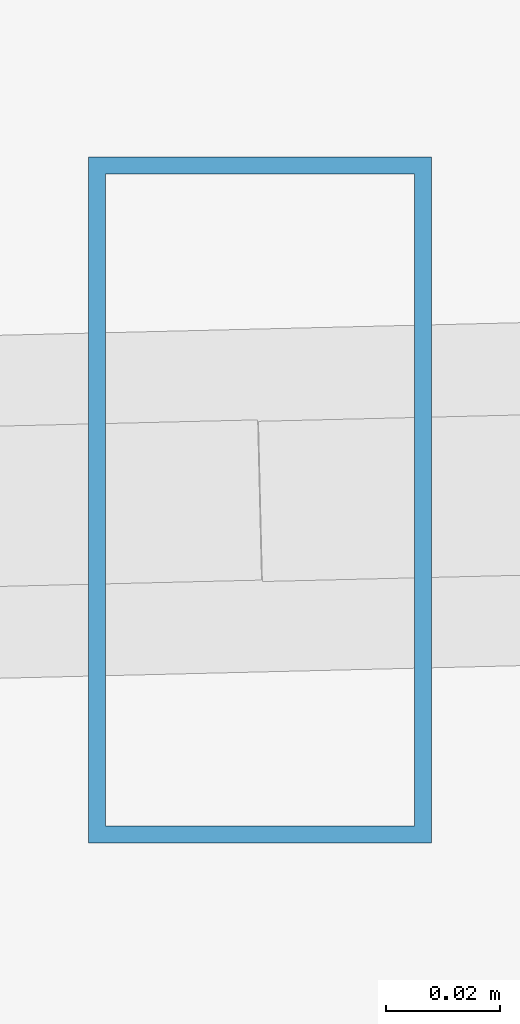
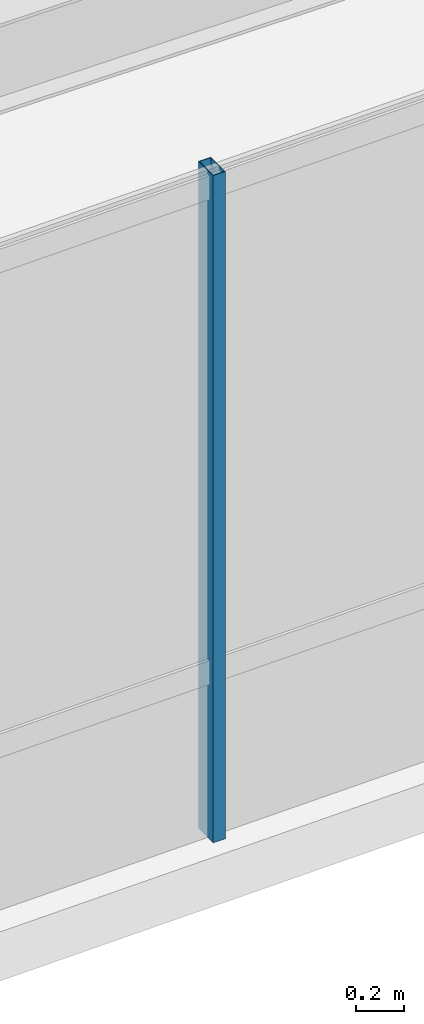
# One storey, part 5 of 48: 1 member, 1 element without a shape of its own.
"""IFC4 building model written with IfcOpenShell, lengths in metres."""

import ifcopenshell
import ifcopenshell.guid

model = None  # the IFC model being written
_history = None  # IfcOwnerHistory: only IFC2X3 demands one
_inside = {}  # id of a spatial element -> (the spatial element, [elements in it])
_under = {}  # id of a project, library or spatial element -> (it, [spatial elements below it])
_declared = {}  # id of a project -> (the project, [libraries it declares])
_typed = {}  # id of a type object -> (the type object, [elements of that type])
_made_of = {}  # id of a material, layer set ... -> (it, [elements and type objects made of it])


def new_model(schema):
    """Start an empty IFC model of exactly this schema.

    Asked for "IFC4X3", IfcOpenShell would pick the latest addendum, in which some entities
    have other attributes; the version numbers below select the first issue.
    IFC2X3 requires an IfcOwnerHistory on every rooted entity: one is made here for all.
    """
    global model, _history
    if schema == "IFC4X3":
        model = ifcopenshell.file(schema_version=(4, 3, 0, 0))
    else:
        model = ifcopenshell.file(schema=schema)
    _inside.clear()
    _under.clear()
    _declared.clear()
    _typed.clear()
    _made_of.clear()
    _history = None
    if model.schema == "IFC2X3":
        org = make("IfcOrganization", Name="unknown")
        user = make(
            "IfcPersonAndOrganization",
            ThePerson=make("IfcPerson", FamilyName="unknown"),
            TheOrganization=org,
        )
        app = make(
            "IfcApplication",
            ApplicationDeveloper=org,
            Version="unknown",
            ApplicationFullName="unknown",
            ApplicationIdentifier="unknown",
        )
        _history = make(
            "IfcOwnerHistory",
            OwningUser=user,
            OwningApplication=app,
            ChangeAction="ADDED",
            CreationDate=0,
        )
    return model


def make(cls, **values):
    """One entity of the class cls with the attributes given. An attribute that is None is left unset."""
    return model.create_entity(
        cls, **{name: value for name, value in values.items() if value is not None}
    )


def rooted(cls, **values):
    """An entity with a GlobalId (a new one), such as an element, a storey or a relation."""
    return make(cls, GlobalId=ifcopenshell.guid.new(), OwnerHistory=_history, **values)


def si_unit(unit_type, name, prefix=None):
    """IfcSIUnit, for example si_unit("LENGTHUNIT", "METRE", prefix="MILLI")."""
    return make("IfcSIUnit", UnitType=unit_type, Prefix=prefix, Name=name)


def assignment(units):
    """IfcUnitAssignment: the units of a project."""
    return None if units is None else make("IfcUnitAssignment", Units=units)


def point(xyz):
    """IfcCartesianPoint."""
    return None if xyz is None else make("IfcCartesianPoint", Coordinates=xyz)


def direction(xyz):
    """IfcDirection."""
    return None if xyz is None else make("IfcDirection", DirectionRatios=xyz)


def frame(location, z_axis=None, x_axis=None):
    """IfcAxis2Placement3D, a coordinate frame: its origin and axes. An axis left out is left unset."""
    return make(
        "IfcAxis2Placement3D",
        Location=point(location),
        Axis=direction(z_axis),
        RefDirection=direction(x_axis),
    )


def frame_2d(location, x_axis=None):
    """IfcAxis2Placement2D, a coordinate frame in the plane: its origin and x axis."""
    return make(
        "IfcAxis2Placement2D", Location=point(location), RefDirection=direction(x_axis)
    )


def origin():
    """The frame at (0, 0, 0) with its axes left unset."""
    return frame((0.0, 0.0, 0.0))


def origin_2d():
    """The frame at (0, 0) in the plane with its x axis left unset."""
    return frame_2d((0.0, 0.0))


def place(relative_to, where):
    """IfcLocalPlacement: puts the frame where relative to a parent placement (None: the world)."""
    return make(
        "IfcLocalPlacement", PlacementRelTo=relative_to, RelativePlacement=where
    )


def context(
    kind, dimensions, precision=None, world=None, true_north=None, identifier=None
):
    """IfcGeometricRepresentationContext, for example the 3D "Model" context."""
    return make(
        "IfcGeometricRepresentationContext",
        ContextIdentifier=identifier,
        ContextType=kind,
        CoordinateSpaceDimension=dimensions,
        Precision=precision,
        WorldCoordinateSystem=world,
        TrueNorth=true_north,
    )


def subcontext(parent, identifier, kind, view, scale=None):
    """IfcGeometricRepresentationSubContext, for example "Body" below "Model"."""
    return make(
        "IfcGeometricRepresentationSubContext",
        ContextIdentifier=identifier,
        ContextType=kind,
        ParentContext=parent,
        TargetScale=scale,
        TargetView=view,
    )


def project(units=None, contexts=None):
    """IfcProject with its units and contexts."""
    return rooted(
        "IfcProject",
        Name="project",
        RepresentationContexts=contexts,
        UnitsInContext=assignment(units),
    )


def spatial(cls, under=None, at=None, **own):
    """A site, building, storey or space (cls), placed at a placement, below another one or the project."""
    s = rooted(cls, ObjectPlacement=at, **own)
    if under is not None:
        _under.setdefault(under.id(), (under, []))[1].append(s)
    return s


def profile(cls, at=None, kind="AREA", **sizes):
    """A parametric profile (cls). Its sizes go by their IFC names, for example OverallWidth=200.0."""
    return make(cls, ProfileType=kind, Position=at, **sizes)


def hollow_rectangle(**sizes):
    """IfcRectangleHollowProfileDef."""
    return profile("IfcRectangleHollowProfileDef", **sizes)


def extrude(swept, where, along, depth):
    """IfcExtrudedAreaSolid: the profile swept, set in the frame where, extruded along a direction by depth."""
    return make(
        "IfcExtrudedAreaSolid",
        SweptArea=swept,
        Position=where,
        ExtrudedDirection=direction(along),
        Depth=depth,
    )


def shape(context_of_items, identifier, shape_type, items):
    """IfcShapeRepresentation: the items that make up one representation, for example the "Body"."""
    return make(
        "IfcShapeRepresentation",
        ContextOfItems=context_of_items,
        RepresentationIdentifier=identifier,
        RepresentationType=shape_type,
        Items=items,
    )


def source(mapping_origin, context_of_items, identifier, shape_type, items):
    """IfcRepresentationMap: a shape defined once, which mapped items show again and again."""
    return make(
        "IfcRepresentationMap",
        MappingOrigin=mapping_origin,
        MappedRepresentation=shape(context_of_items, identifier, shape_type, items),
    )


def transform(
    local_origin,
    x_axis=None,
    y_axis=None,
    z_axis=None,
    scale=None,
    scale2=None,
    scale3=None,
    uniform=True,
):
    """IfcCartesianTransformationOperator3D, or its non-uniform kind. x_axis, y_axis, z_axis: its Axis1, 2, 3."""
    if uniform:
        return make(
            "IfcCartesianTransformationOperator3D",
            Axis1=direction(x_axis),
            Axis2=direction(y_axis),
            LocalOrigin=point(local_origin),
            Scale=scale,
            Axis3=direction(z_axis),
        )
    return make(
        "IfcCartesianTransformationOperator3DnonUniform",
        Axis1=direction(x_axis),
        Axis2=direction(y_axis),
        LocalOrigin=point(local_origin),
        Scale=scale,
        Axis3=direction(z_axis),
        Scale2=scale2,
        Scale3=scale3,
    )


def mapped(mapping_source, mapping_target):
    """IfcMappedItem: shows the shape of a source again, moved by a transform."""
    return make(
        "IfcMappedItem", MappingSource=mapping_source, MappingTarget=mapping_target
    )


def material(Name=None, Category=None):
    """IfcMaterial."""
    return make("IfcMaterial", Name=Name, Category=Category)


def material_profile(
    of_material, cross_section, Name=None, Category=None, Priority=None
):
    """IfcMaterialProfile: a cross section and its material."""
    return make(
        "IfcMaterialProfile",
        Name=Name,
        Material=of_material,
        Profile=cross_section,
        Priority=Priority,
        Category=Category,
    )


def profile_set(profiles, Name=None, composite=None):
    """IfcMaterialProfileSet."""
    return make(
        "IfcMaterialProfileSet",
        Name=Name,
        MaterialProfiles=profiles,
        CompositeProfile=composite,
    )


def made_of(thing, what):
    """Note that an element or type object is made of a material, layer set ...; save() writes the relation."""
    if what is not None:
        _made_of.setdefault(what.id(), (what, []))[1].append(thing)
    return thing


def type_object(cls, material=None, **own):
    """A type object (cls), such as IfcWallType, which elements share."""
    return made_of(rooted(cls, **own), material)


def type_shapes(of_type, sources):
    """Give a type object the sources (RepresentationMaps) that its elements show as mapped items."""
    of_type.RepresentationMaps = sources


def element(
    cls,
    number,
    at=None,
    inside=None,
    cuts=None,
    type_object=None,
    material=None,
    context=None,
    identifier="Body",
    shape_type=None,
    held_by="IfcProductDefinitionShape",
    body=None,
    shapes=None,
    **own,
):
    """One element of the class cls, such as IfcWall. Its Tag is "e" and its number.

    at: its placement. inside: the storey or other place that contains it. cuts: it is an
    opening in that element (IfcRelVoidsElement). A single representation is given by context,
    identifier, shape_type and body (its items); several are given by shapes. held_by: the class
    of the entity that holds the representations. save() writes the other relations.
    """
    e = rooted(cls, Tag="e%d" % number, ObjectPlacement=at, **own)
    if body is not None:
        shapes = [shape(context, identifier, shape_type, body)]
    if shapes is not None:
        e.Representation = make(held_by, Representations=shapes)
    if inside is not None:
        _inside.setdefault(inside.id(), (inside, []))[1].append(e)
    if cuts is not None:
        rooted(
            "IfcRelVoidsElement", RelatingBuildingElement=cuts, RelatedOpeningElement=e
        )
    if type_object is not None:
        _typed.setdefault(type_object.id(), (type_object, []))[1].append(e)
    return made_of(e, material)


def aggregate(whole, parts):
    """IfcRelAggregates: a whole, such as a stair, and the parts it consists of."""
    return rooted("IfcRelAggregates", RelatingObject=whole, RelatedObjects=parts)


def save(model, path):
    """Write the relations noted so far, then the file.

    IfcRelAggregates (storeys below a building ...), IfcRelContainedInSpatialStructure (elements
    in a storey), IfcRelDefinesByType, IfcRelAssociatesMaterial and IfcRelDeclares: one each for
    every whole, place, type object, material and project.
    """
    for whole, parts in _under.values():
        aggregate(whole, parts)
    for where, things in _inside.values():
        rooted(
            "IfcRelContainedInSpatialStructure",
            RelatedElements=things,
            RelatingStructure=where,
        )
    for kind, things in _typed.values():
        rooted("IfcRelDefinesByType", RelatedObjects=things, RelatingType=kind)
    for what, things in _made_of.values():
        rooted("IfcRelAssociatesMaterial", RelatedObjects=things, RelatingMaterial=what)
    for by, libraries in _declared.values():
        rooted("IfcRelDeclares", RelatingContext=by, RelatedDefinitions=libraries)
    model.write(path)


model = new_model("IFC4")

# Units and contexts
model_context = context("Model", 3, precision=1e-05, world=origin(), true_north=direction((0.0, 1.0)))
body_context = subcontext(model_context, "Body", "Model", "MODEL_VIEW")
ifc_project = project(units=[si_unit("LENGTHUNIT", "METRE"), si_unit("AREAUNIT", "SQUARE_METRE"), si_unit("VOLUMEUNIT", "CUBIC_METRE"), si_unit("PLANEANGLEUNIT", "RADIAN"), si_unit("MASSUNIT", "GRAM", prefix="KILO")], contexts=[model_context])

# Site, building, storey
site_placement = place(None, origin())
site = spatial("IfcSite", under=ifc_project, at=site_placement, CompositionType="ELEMENT")
building_placement = place(site_placement, origin())
building = spatial("IfcBuilding", under=site, at=building_placement, Name="Caelisora Broadcast Tower", CompositionType="ELEMENT")
storey_placement = place(building_placement, frame((0.0, 0.0, 277.300048828125)))
storey = spatial("IfcBuildingStorey", under=building, at=storey_placement, Name="L73", CompositionType="ELEMENT", Elevation=277.300048828125)

# Curtain wall, member
ifc_material_1 = material(Name="Unitised Aluminium and Low-E Glass Curtain Wall", Category="glass")
curtain_wall_type = type_object("IfcCurtainWallType", Name="CW-Z5", PredefinedType="NOTDEFINED", material=ifc_material_1)
curtain_wall_placement = place(storey_placement, origin())
curtain_wall = element("IfcCurtainWall", 1, at=curtain_wall_placement, inside=storey, type_object=curtain_wall_type, Name="L73 curtain wall CW-Z5", PredefinedType="NOTDEFINED")
ifc_material_2 = material(Name="Aluminium 6063-T6 Anodised Terracotta Bronze", Category="aluminium")
ifc_material_profile = material_profile(ifc_material_2, hollow_rectangle(XDim=0.06005859375, YDim=0.1201171875, WallThickness=0.0029296875, at=origin_2d()), Name="Aluminium 6063-T6 Anodised Terracotta Bronze")
ifc_profile_set = profile_set([ifc_material_profile], Name="Aluminium 6063-T6 Anodised Terracotta Bronze")
member_type = type_object("IfcMemberType", Name="CWM-04", PredefinedType="MULLION", material=ifc_profile_set)
shared_shape = source(origin(), body_context, "Body", "SweptSolid", [
    extrude(hollow_rectangle(XDim=0.06005859375, YDim=0.1201171875, WallThickness=0.0029296875, at=origin_2d()), origin(), (0.0, 0.0, 1.0), 3.39990234375),
])
type_shapes(member_type, [shared_shape])
member_placement = place(storey_placement, frame((25.93212890625, 8.38330078125, 0.0), z_axis=(0.0, 0.0, 1.0), x_axis=(1.0, 0.0, 0.0)))
member = element("IfcMember", 2, at=member_placement, type_object=member_type, Name="L73-CW-B07 mullion #1", PredefinedType="MULLION", context=body_context, shape_type="MappedRepresentation", body=[
    mapped(shared_shape, transform((0.0, 0.0, 0.0), scale=1.0)),
])
aggregate(curtain_wall, [member])

save(model, "model.ifc")
